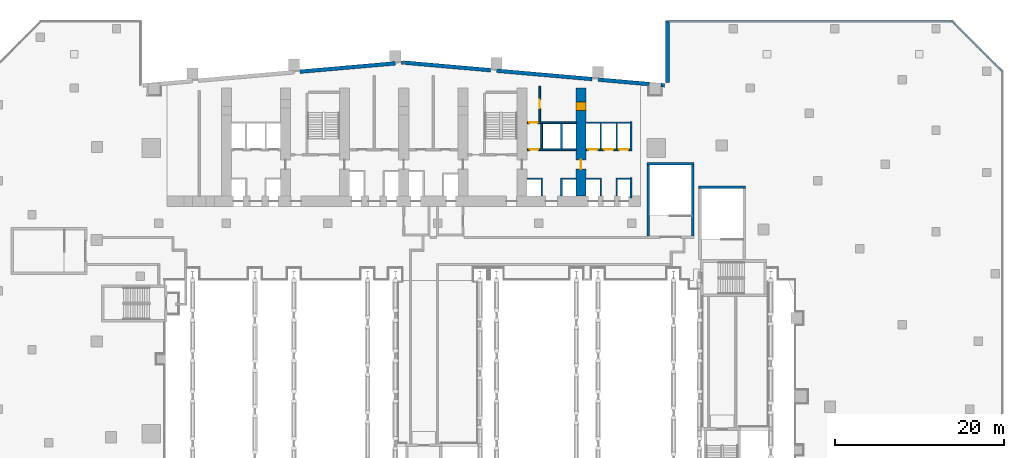
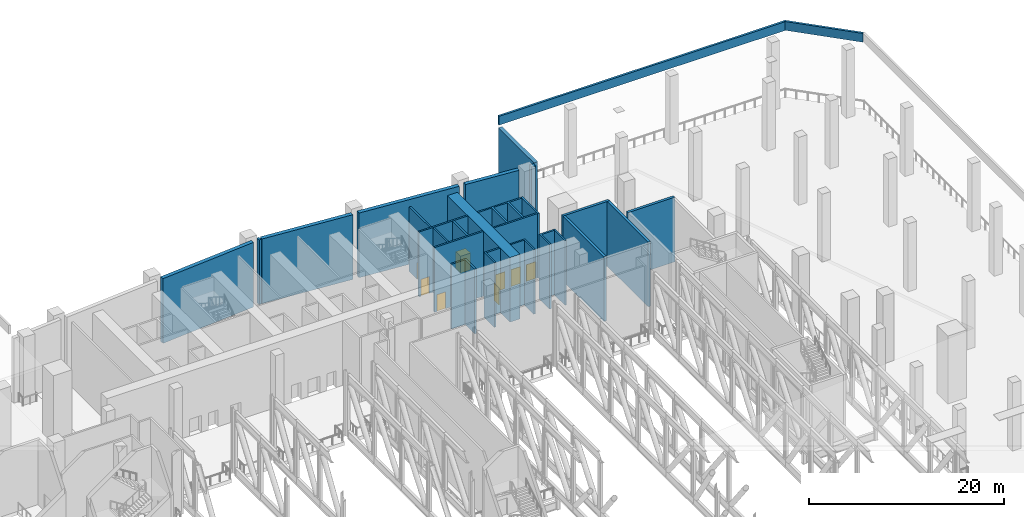
# One storey, part 14 of 33: 27 walls, 8 doors, 8 openings.
"""IFC4 building model written with IfcOpenShell, lengths in metres."""

from ifc_helpers import new_model, si_unit, direction, frame, frame_2d, origin, place, context, subcontext, project, spatial, polyline, rectangle, outline, extrude, material, layer, layer_set, type_object, element, fill, save


model = new_model("IFC4")

# Units and contexts
model_context = context("Model", 3, precision=1e-05, world=origin(), true_north=direction((0.0, 1.0)))
body_context = subcontext(model_context, "Body", "Model", "MODEL_VIEW")
ifc_project = project(units=[si_unit("LENGTHUNIT", "METRE"), si_unit("AREAUNIT", "SQUARE_METRE"), si_unit("VOLUMEUNIT", "CUBIC_METRE"), si_unit("PLANEANGLEUNIT", "RADIAN"), si_unit("MASSUNIT", "GRAM", prefix="KILO")], contexts=[model_context])

# Site, building, storey
site_placement = place(None, origin())
site = spatial("IfcSite", under=ifc_project, at=site_placement, CompositionType="ELEMENT")
building_placement = place(site_placement, origin())
building = spatial("IfcBuilding", under=site, at=building_placement, Name="Wharfspan Tower", CompositionType="ELEMENT")
storey_placement = place(building_placement, frame((0.0, 0.0, 33.0)))
storey = spatial("IfcBuildingStorey", under=building, at=storey_placement, Name="L05", CompositionType="ELEMENT", Elevation=33.0)

# Wall, opening, door
ifc_material_1 = material(Name="Calcium silicate masonry", Category="masonry")
ifc_layer_1 = layer(ifc_material_1, 0.199951)
ifc_layer_set_1 = layer_set([ifc_layer_1], Name="Calcium silicate masonry")
wall_type_1 = type_object("IfcWallType", Name="Core room wall 200", PredefinedType="PARTITIONING", material=ifc_layer_set_1)
wall_1_placement = place(storey_placement, frame((53.100098, 44.0, 0.0), z_axis=(0.0, 0.0, 1.0), x_axis=(0.0, 1.0, 0.0)))
wall_1 = element("IfcWall", 1, at=wall_1_placement, inside=storey, type_object=wall_type_1, Name="sw:L05:RP6.1", PredefinedType="PARTITIONING", context=body_context, shape_type="SweptSolid", body=[
    extrude(rectangle(XDim=4.227783, YDim=0.199951, at=frame_2d((2.11377, 0.0))), origin(), (0.0, 0.0, 1.0), 8.100098),
])
opening_1_placement = place(wall_1_placement, frame((1.614014, 0.0, 0.0)))
opening_1 = element("IfcOpeningElement", 2, at=opening_1_placement, cuts=wall_1, Name="Opening CD05.6P1", PredefinedType="OPENING", context=body_context, shape_type="SweptSolid", body=[
    extrude(rectangle(XDim=1.0, YDim=2.100098, at=frame_2d((0.5, 1.050049))), frame((0.0, 0.109863, 0.0), z_axis=(0.0, -1.0, 0.0), x_axis=(1.0, 0.0, 0.0)), (0.0, 0.0, 1.0), 0.219971),
])
ifc_material_2 = material(Name="Steel door leaf", Category="steel")
door_type_1 = type_object("IfcDoorType", Name="Core room door 1000x2100", OperationType="SINGLE_SWING_LEFT", PredefinedType="DOOR", material=ifc_material_2)
door_1_placement = place(opening_1_placement, origin())
door_1 = element("IfcDoor", 3, at=door_1_placement, inside=storey, type_object=door_type_1, Name="d:L05:6:rp1", OperationType="SINGLE_SWING_LEFT", OverallHeight=2.100098, OverallWidth=1.0, PredefinedType="DOOR", context=body_context, shape_type="SweptSolid", body=[
    extrude(rectangle(XDim=1.0, YDim=2.100098, at=frame_2d((0.5, 1.050049))), frame((0.0, 0.024902, 0.0), z_axis=(0.0, -1.0, 0.0), x_axis=(1.0, 0.0, 0.0)), (0.0, 0.0, 1.0), 0.050049),
])
fill(opening_1, door_1)

# Wall, openings, doors
ifc_material_3 = material(Name="Concrete C70/85", Category="concrete")
ifc_layer_2 = layer(ifc_material_3, 1.199951)
ifc_layer_set_2 = layer_set([ifc_layer_2], Name="Concrete C70/85")
wall_type_2 = type_object("IfcWallType", Name="Core wall fallback 1.2", PredefinedType="SHEAR", material=ifc_layer_set_2)
wall_2_placement = place(storey_placement, frame((58.0, 35.199951, 0.0), z_axis=(0.0, 0.0, 1.0), x_axis=(0.0, 1.0, 0.0)))
wall_2 = element("IfcWall", 4, at=wall_2_placement, inside=storey, type_object=wall_type_2, Name="cw:L05:X7", PredefinedType="SHEAR", context=body_context, shape_type="SweptSolid", body=[
    extrude(rectangle(XDim=12.800049, YDim=1.199951, at=frame_2d((6.399902, 0.0))), origin(), (0.0, 0.0, 1.0), 8.100098),
])
opening_2_placement = place(wall_2_placement, frame((10.133789, 0.0, 0.0)))
opening_2 = element("IfcOpeningElement", 5, at=opening_2_placement, cuts=wall_2, Name="Opening CD05.7X", PredefinedType="OPENING", context=body_context, shape_type="SweptSolid", body=[
    extrude(rectangle(XDim=1.0, YDim=2.100098, at=frame_2d((0.5, 1.050049))), frame((0.0, 0.609863, 0.0), z_axis=(0.0, -1.0, 0.0), x_axis=(1.0, 0.0, 0.0)), (0.0, 0.0, 1.0), 1.219971),
])
opening_3_placement = place(wall_2_placement, frame((3.199951, 0.0, 0.0)))
opening_3 = element("IfcOpeningElement", 6, at=opening_3_placement, cuts=wall_2, Name="Opening CC05.7", PredefinedType="OPENING", context=body_context, shape_type="SweptSolid", body=[
    extrude(rectangle(XDim=1.100098, YDim=2.100098, at=frame_2d((0.550049, 1.050049))), frame((0.0, 0.609863, 0.0), z_axis=(0.0, -1.0, 0.0), x_axis=(1.0, 0.0, 0.0)), (0.0, 0.0, 1.0), 1.219971),
])
door_type_2 = type_object("IfcDoorType", Name="Core corridor door 1100x2100", OperationType="SINGLE_SWING_LEFT", PredefinedType="DOOR", material=ifc_material_2)
door_2_placement = place(opening_3_placement, origin())
door_2 = element("IfcDoor", 7, at=door_2_placement, inside=storey, type_object=door_type_2, Name="xd:L05:7", OperationType="SINGLE_SWING_LEFT", OverallHeight=2.100098, OverallWidth=1.100098, PredefinedType="DOOR", context=body_context, shape_type="SweptSolid", body=[
    extrude(rectangle(XDim=1.100098, YDim=2.100098, at=frame_2d((0.550049, 1.050049))), frame((0.0, 0.024902, 0.0), z_axis=(0.0, -1.0, 0.0), x_axis=(1.0, 0.0, 0.0)), (0.0, 0.0, 1.0), 0.050049),
])
fill(opening_3, door_2)
door_3_placement = place(opening_2_placement, origin())
door_3 = element("IfcDoor", 8, at=door_3_placement, inside=storey, type_object=door_type_1, Name="d:L05:7:sx", OperationType="SINGLE_SWING_LEFT", OverallHeight=2.100098, OverallWidth=1.0, PredefinedType="DOOR", context=body_context, shape_type="SweptSolid", body=[
    extrude(rectangle(XDim=1.0, YDim=2.100098, at=frame_2d((0.5, 1.050049))), frame((0.0, 0.599609, 0.0), z_axis=(0.0, -1.0, 0.0), x_axis=(1.0, 0.0, 0.0)), (0.0, 0.0, 1.0), 1.199463),
])
fill(opening_2, door_3)

# Wall, opening, door
ifc_material_4 = material(Name="Concrete C30/37", Category="concrete")
ifc_layer_3 = layer(ifc_material_4, 0.199951)
ifc_layer_set_3 = layer_set([ifc_layer_3], Name="Concrete C30/37")
wall_type_3 = type_object("IfcWallType", Name="Lift shaft wall 200", PredefinedType="PARTITIONING", material=ifc_layer_set_3)
wall_3_placement = place(storey_placement, frame((51.600098, 40.699951, 0.0), z_axis=(0.0, 0.0, 1.0), x_axis=(1.0, 0.0, 0.0)))
wall_3 = element("IfcWall", 9, at=wall_3_placement, inside=storey, type_object=wall_type_3, Name="sw:L05:RF6", PredefinedType="PARTITIONING", context=body_context, shape_type="SweptSolid", body=[
    extrude(rectangle(XDim=5.799805, YDim=0.199951, at=frame_2d((2.899902, 0.0))), origin(), (0.0, 0.0, 1.0), 8.100098),
])
opening_4_placement = place(wall_3_placement, frame((0.31665, 0.0, 0.0)))
opening_4 = element("IfcOpeningElement", 10, at=opening_4_placement, cuts=wall_3, Name="Opening CD05.6R1", PredefinedType="OPENING", context=body_context, shape_type="SweptSolid", body=[
    extrude(rectangle(XDim=1.0, YDim=2.100098, at=frame_2d((0.5, 1.050049))), frame((0.0, 0.109863, 0.0), z_axis=(0.0, -1.0, 0.0), x_axis=(1.0, 0.0, 0.0)), (0.0, 0.0, 1.0), 0.219971),
])
door_4_placement = place(opening_4_placement, origin())
door_4 = element("IfcDoor", 11, at=door_4_placement, inside=storey, type_object=door_type_1, Name="d:L05:6:rd6.1", OperationType="SINGLE_SWING_RIGHT", OverallHeight=2.100098, OverallWidth=1.0, PredefinedType="DOOR", context=body_context, shape_type="SweptSolid", body=[
    extrude(rectangle(XDim=1.0, YDim=2.100098, at=frame_2d((0.5, 1.050049))), frame((0.0, 0.024902, 0.0), z_axis=(0.0, -1.0, 0.0), x_axis=(1.0, 0.0, 0.0)), (0.0, 0.0, 1.0), 0.050049),
])
fill(opening_4, door_4)

wall_4_placement = place(storey_placement, frame((51.600098, 43.899902, 0.0), z_axis=(0.0, 0.0, 1.0), x_axis=(1.0, 0.0, 0.0)))
wall_4 = element("IfcWall", 12, at=wall_4_placement, inside=storey, type_object=wall_type_3, Name="sw:L05:RR6", PredefinedType="PARTITIONING", context=body_context, shape_type="SweptSolid", body=[
    extrude(rectangle(XDim=5.799805, YDim=0.199951, at=frame_2d((2.899902, 0.0))), origin(), (0.0, 0.0, 1.0), 8.100098),
])
opening_5_placement = place(wall_4_placement, frame((0.25, 0.0, 0.0)))
opening_5 = element("IfcOpeningElement", 13, at=opening_5_placement, cuts=wall_4, Name="Opening CD05.6S1", PredefinedType="OPENING", context=body_context, shape_type="SweptSolid", body=[
    extrude(rectangle(XDim=1.0, YDim=2.100098, at=frame_2d((0.5, 1.050049))), frame((0.0, 0.109863, 0.0), z_axis=(0.0, -1.0, 0.0), x_axis=(1.0, 0.0, 0.0)), (0.0, 0.0, 1.0), 0.219971),
])
door_5_placement = place(opening_5_placement, origin())
door_5 = element("IfcDoor", 14, at=door_5_placement, inside=storey, type_object=door_type_1, Name="d:L05:6:rs6.1", OperationType="SINGLE_SWING_LEFT", OverallHeight=2.100098, OverallWidth=1.0, PredefinedType="DOOR", context=body_context, shape_type="SweptSolid", body=[
    extrude(rectangle(XDim=1.0, YDim=2.100098, at=frame_2d((0.5, 1.050049))), frame((0.0, 0.024902, 0.0), z_axis=(0.0, -1.0, 0.0), x_axis=(1.0, 0.0, 0.0)), (0.0, 0.0, 1.0), 0.050049),
])
fill(opening_5, door_5)

# Walls
wall_5_placement = place(storey_placement, origin())
element("IfcWall", 15, at=wall_5_placement, inside=storey, type_object=wall_type_3, Name="sw:L05:FM6.0", PredefinedType="PARTITIONING", context=body_context, shape_type="SweptSolid", body=[
    extrude(outline(polyline([(53.233398, 37.149902), (51.600098, 37.149902), (51.600098, 37.350098), (53.233398, 37.350098), (53.43335, 37.350098), (53.43335, 35.199951), (53.233398, 35.199951), (53.233398, 37.149902)])), origin(), (0.0, 0.0, 1.0), 8.100098),
])
wall_6_placement = place(storey_placement, origin())
element("IfcWall", 16, at=wall_6_placement, inside=storey, type_object=wall_type_3, Name="sw:L05:FM6.1", PredefinedType="PARTITIONING", context=body_context, shape_type="SweptSolid", body=[
    extrude(outline(polyline([(55.56665, 37.350098), (55.766602, 37.350098), (57.399902, 37.350098), (57.399902, 37.149902), (55.766602, 37.149902), (55.766602, 35.199951), (55.56665, 35.199951), (55.56665, 37.350098)])), origin(), (0.0, 0.0, 1.0), 8.100098),
])
wall_7_placement = place(storey_placement, origin())
element("IfcWall", 17, at=wall_7_placement, inside=storey, type_object=wall_type_3, Name="sw:L05:RM6.0", PredefinedType="PARTITIONING", context=body_context, shape_type="SweptSolid", body=[
    extrude(outline(polyline([(53.233398, 40.800049), (53.233398, 43.800049), (53.43335, 43.800049), (53.43335, 40.800049), (53.233398, 40.800049)])), origin(), (0.0, 0.0, 1.0), 8.100098),
])
wall_8_placement = place(storey_placement, origin())
element("IfcWall", 18, at=wall_8_placement, inside=storey, type_object=wall_type_3, Name="sw:L05:RM6.1", PredefinedType="PARTITIONING", context=body_context, shape_type="SweptSolid", body=[
    extrude(outline(polyline([(55.56665, 40.800049), (55.56665, 43.800049), (55.766602, 43.800049), (55.766602, 40.800049), (55.56665, 40.800049)])), origin(), (0.0, 0.0, 1.0), 8.100098),
])

# Wall, openings, doors
wall_9_placement = place(storey_placement, frame((58.600098, 40.699951, 0.0), z_axis=(0.0, 0.0, 1.0), x_axis=(1.0, 0.0, 0.0)))
wall_9 = element("IfcWall", 19, at=wall_9_placement, inside=storey, type_object=wall_type_3, Name="sw:L05:RF7", PredefinedType="PARTITIONING", context=body_context, shape_type="SweptSolid", body=[
    extrude(rectangle(XDim=5.199951, YDim=0.199951, at=frame_2d((2.600098, 0.0))), origin(), (0.0, 0.0, 1.0), 8.100098),
])
opening_6_placement = place(wall_9_placement, frame((0.266602, 0.0, 0.0)))
opening_6 = element("IfcOpeningElement", 20, at=opening_6_placement, cuts=wall_9, Name="Opening LD.LA8.L05", PredefinedType="OPENING", context=body_context, shape_type="SweptSolid", body=[
    extrude(rectangle(XDim=1.100098, YDim=2.100098, at=frame_2d((0.550049, 1.050049))), frame((0.0, 0.109863, 0.0), z_axis=(0.0, -1.0, 0.0), x_axis=(1.0, 0.0, 0.0)), (0.0, 0.0, 1.0), 0.219971),
])
opening_7_placement = place(wall_9_placement, frame((2.116699, 0.0, 0.0)))
opening_7 = element("IfcOpeningElement", 21, at=opening_7_placement, cuts=wall_9, Name="Opening LD.LA9.L05", PredefinedType="OPENING", context=body_context, shape_type="SweptSolid", body=[
    extrude(rectangle(XDim=1.100098, YDim=2.100098, at=frame_2d((0.550049, 1.050049))), frame((0.0, 0.109863, 0.0), z_axis=(0.0, -1.0, 0.0), x_axis=(1.0, 0.0, 0.0)), (0.0, 0.0, 1.0), 0.219971),
])
opening_8_placement = place(wall_9_placement, frame((3.899902, 0.0, 0.0)))
opening_8 = element("IfcOpeningElement", 22, at=opening_8_placement, cuts=wall_9, Name="Opening LD.LA10.L05", PredefinedType="OPENING", context=body_context, shape_type="SweptSolid", body=[
    extrude(rectangle(XDim=1.100098, YDim=2.100098, at=frame_2d((0.550049, 1.050049))), frame((0.0, 0.109863, 0.0), z_axis=(0.0, -1.0, 0.0), x_axis=(1.0, 0.0, 0.0)), (0.0, 0.0, 1.0), 0.219971),
])
ifc_material_5 = material(Name="Stainless steel", Category="steel")
door_type_3 = type_object("IfcDoorType", Name="Lift landing door 1100x2100", OperationType="DOUBLE_DOOR_SLIDING", PredefinedType="DOOR", material=ifc_material_5)
door_6_placement = place(opening_6_placement, origin())
door_6 = element("IfcDoor", 23, at=door_6_placement, inside=storey, type_object=door_type_3, Name="Landing door LA8 L05", OperationType="DOUBLE_DOOR_SLIDING", OverallHeight=2.100098, OverallWidth=1.100098, PredefinedType="DOOR", context=body_context, shape_type="SweptSolid", body=[
    extrude(rectangle(XDim=1.100098, YDim=2.100098, at=frame_2d((0.550049, 1.050049))), frame((0.0, 0.024902, 0.0), z_axis=(0.0, -1.0, 0.0), x_axis=(1.0, 0.0, 0.0)), (0.0, 0.0, 1.0), 0.050049),
])
fill(opening_6, door_6)
door_7_placement = place(opening_7_placement, origin())
door_7 = element("IfcDoor", 24, at=door_7_placement, inside=storey, type_object=door_type_3, Name="Landing door LA9 L05", OperationType="DOUBLE_DOOR_SLIDING", OverallHeight=2.100098, OverallWidth=1.100098, PredefinedType="DOOR", context=body_context, shape_type="SweptSolid", body=[
    extrude(rectangle(XDim=1.100098, YDim=2.100098, at=frame_2d((0.550049, 1.050049))), frame((0.0, 0.024902, 0.0), z_axis=(0.0, -1.0, 0.0), x_axis=(1.0, 0.0, 0.0)), (0.0, 0.0, 1.0), 0.050049),
])
fill(opening_7, door_7)
door_8_placement = place(opening_8_placement, origin())
door_8 = element("IfcDoor", 25, at=door_8_placement, inside=storey, type_object=door_type_3, Name="Landing door LA10 L05", OperationType="DOUBLE_DOOR_SLIDING", OverallHeight=2.100098, OverallWidth=1.100098, PredefinedType="DOOR", context=body_context, shape_type="SweptSolid", body=[
    extrude(rectangle(XDim=1.100098, YDim=2.100098, at=frame_2d((0.550049, 1.050049))), frame((0.0, 0.024902, 0.0), z_axis=(0.0, -1.0, 0.0), x_axis=(1.0, 0.0, 0.0)), (0.0, 0.0, 1.0), 0.050049),
])
fill(opening_8, door_8)

# Walls
wall_10_placement = place(storey_placement, origin())
element("IfcWall", 26, at=wall_10_placement, inside=storey, type_object=wall_type_3, Name="sw:L05:FM7.0", PredefinedType="PARTITIONING", context=body_context, shape_type="SweptSolid", body=[
    extrude(outline(polyline([(60.233398, 37.149902), (58.600098, 37.149902), (58.600098, 37.350098), (60.233398, 37.350098), (60.43335, 37.350098), (60.43335, 35.199951), (60.233398, 35.199951), (60.233398, 37.149902)])), origin(), (0.0, 0.0, 1.0), 8.100098),
])
wall_11_placement = place(storey_placement, origin())
element("IfcWall", 27, at=wall_11_placement, inside=storey, type_object=wall_type_3, Name="sw:L05:FM7.1", PredefinedType="PARTITIONING", context=body_context, shape_type="SweptSolid", body=[
    extrude(outline(polyline([(62.100098, 37.350098), (62.300049, 37.350098), (63.800049, 37.350098), (63.800049, 37.149902), (62.300049, 37.149902), (62.300049, 35.199951), (62.100098, 35.199951), (62.100098, 37.350098)])), origin(), (0.0, 0.0, 1.0), 8.100098),
])
wall_12_placement = place(storey_placement, origin())
element("IfcWall", 28, at=wall_12_placement, inside=storey, type_object=wall_type_3, Name="sw:L05:RM7.0", PredefinedType="PARTITIONING", context=body_context, shape_type="SweptSolid", body=[
    extrude(outline(polyline([(60.43335, 40.800049), (60.233398, 40.800049), (60.233398, 43.800049), (58.600098, 43.800049), (58.600098, 44.0), (63.800049, 44.0), (63.800049, 43.800049), (62.300049, 43.800049), (62.300049, 40.800049), (62.100098, 40.800049), (62.100098, 43.800049), (60.43335, 43.800049), (60.43335, 40.800049)])), origin(), (0.0, 0.0, 1.0), 8.100098),
])
wall_13_placement = place(storey_placement, frame((63.899902, 35.0, 0.0), z_axis=(0.0, 0.0, 1.0), x_axis=(0.0, 1.0, 0.0)))
element("IfcWall", 29, at=wall_13_placement, inside=storey, type_object=wall_type_3, Name="sw:L05:ECF7", PredefinedType="PARTITIONING", context=body_context, shape_type="SweptSolid", body=[
    extrude(rectangle(XDim=2.350098, YDim=0.199951, at=frame_2d((1.175049, 0.0))), origin(), (0.0, 0.0, 1.0), 8.100098),
])
wall_14_placement = place(storey_placement, frame((63.899902, 40.600098, 0.0), z_axis=(0.0, 0.0, 1.0), x_axis=(0.0, 1.0, 0.0)))
element("IfcWall", 30, at=wall_14_placement, inside=storey, type_object=wall_type_3, Name="sw:L05:ECR7", PredefinedType="PARTITIONING", context=body_context, shape_type="SweptSolid", body=[
    extrude(rectangle(XDim=3.399902, YDim=0.199951, at=frame_2d((1.699951, 0.0))), origin(), (0.0, 0.0, 1.0), 8.100098),
])
ifc_material_6 = material(Name="Concrete C40/50", Category="concrete")
ifc_layer_4 = layer(ifc_material_6, 0.25)
ifc_layer_set_4 = layer_set([ifc_layer_4], Name="Concrete C40/50")
wall_type_4 = type_object("IfcWallType", Name="PARAPET CONCRETE 250", PredefinedType="PARAPET", material=ifc_layer_set_4)
wall_15_placement = place(storey_placement, frame((101.823242, 55.875, 8.5), z_axis=(0.0, 0.0, 1.0), x_axis=(-1.0, 0.0, 0.0)))
element("IfcWall", 31, at=wall_15_placement, inside=storey, type_object=wall_type_4, Name="Ledge parapet", PredefinedType="PARAPET", context=body_context, shape_type="SweptSolid", body=[
    extrude(rectangle(XDim=33.823242, YDim=0.25, at=frame_2d((16.911621, 0.0))), origin(), (0.0, 0.0, 1.0), 1.100098),
])
wall_16_placement = place(storey_placement, frame((107.786621, 50.036621, 8.5), z_axis=(0.0, 0.0, 1.0), x_axis=(-0.707107, 0.707107, 0.0)))
element("IfcWall", 32, at=wall_16_placement, inside=storey, type_object=wall_type_4, Name="Ledge parapet", PredefinedType="PARAPET", context=body_context, shape_type="SweptSolid", body=[
    extrude(rectangle(XDim=8.381592, YDim=0.25, at=frame_2d((4.190918, 0.0))), origin(), (0.0, 0.0, 1.0), 1.100098),
])
ifc_layer_5 = layer(ifc_material_6, 0.300049)
ifc_layer_set_5 = layer_set([ifc_layer_5], Name="Concrete C40/50")
wall_type_5 = type_object("IfcWallType", Name="Podium stair core wall 300", PredefinedType="SHEAR", material=ifc_layer_set_5)
wall_17_placement = place(storey_placement, frame((65.800049, 39.050049, 0.0), z_axis=(0.0, 0.0, 1.0), x_axis=(1.0, 0.0, 0.0)))
element("IfcWall", 33, at=wall_17_placement, inside=storey, type_object=wall_type_5, Name="iw:L05:PS4N", PredefinedType="SHEAR", context=body_context, shape_type="SweptSolid", body=[
    extrude(rectangle(XDim=5.550049, YDim=0.300049, at=frame_2d((2.774902, 0.0))), origin(), (0.0, 0.0, 1.0), 8.100098),
])
for number, where, z_axis, x_axis, name in (
    (34, (65.949951, 30.5, 0.0), (0.0, 0.0, 1.0), (0.0, 1.0, 0.0), "iw:L05:PS4W"),
    (35, (71.199951, 30.5, 0.0), (0.0, 0.0, 1.0), (0.0, 1.0, 0.0), "iw:L05:PS4E"),
):
    element("IfcWall", number, at=place(storey_placement, frame(where, z_axis=z_axis, x_axis=x_axis)), inside=storey, type_object=wall_type_5, Name=name, PredefinedType="SHEAR", context=body_context, shape_type="SweptSolid", body=[
        extrude(rectangle(XDim=8.399902, YDim=0.300049, at=frame_2d((4.199951, 0.0))), origin(), (0.0, 0.0, 1.0), 8.100098),
    ])
wall_18_placement = place(storey_placement, frame((71.91748, 36.25, 0.0), z_axis=(0.0, 0.0, 1.0), x_axis=(1.0, 0.0, 0.0)))
element("IfcWall", 36, at=wall_18_placement, inside=storey, type_object=wall_type_5, Name="iw:L05:PS5N", PredefinedType="SHEAR", context=body_context, shape_type="SweptSolid", body=[
    extrude(rectangle(XDim=5.550049, YDim=0.300049, at=frame_2d((2.774902, 0.0))), origin(), (0.0, 0.0, 1.0), 8.100098),
])
ifc_layer_6 = layer(ifc_material_6, 0.449951)
ifc_layer_set_6 = layer_set([ifc_layer_6], Name="Concrete C40/50")
wall_type_6 = type_object("IfcWallType", Name="WALL BOARD-MARKED CONCRETE 450", PredefinedType="SOLIDWALL", material=ifc_layer_set_6)
wall_19_placement = place(storey_placement, frame((68.225098, 55.899902, 0.0), z_axis=(0.0, 0.0, 1.0), x_axis=(0.0, -1.0, 0.0)))
element("IfcWall", 37, at=wall_19_placement, inside=storey, type_object=wall_type_6, Name="Podium wall PF6", PredefinedType="SOLIDWALL", context=body_context, shape_type="SweptSolid", body=[
    extrude(rectangle(XDim=7.274658, YDim=0.449951, at=frame_2d((3.637207, 0.0))), origin(), (0.0, 0.0, 1.0), 8.100098),
])
wall_20_placement = place(storey_placement, frame((66.05835, 48.468994, 0.0), z_axis=(0.0, 0.0, 1.0), x_axis=(-0.996195, 0.087158, 0.0)))
element("IfcWall", 38, at=wall_20_placement, inside=storey, type_object=wall_type_6, Name="Podium wall PF7", PredefinedType="SOLIDWALL", context=body_context, shape_type="SweptSolid", body=[
    extrude(rectangle(XDim=6.081299, YDim=0.449951, at=frame_2d((3.040527, 0.0))), origin(), (0.0, 0.0, 1.0), 8.100098),
])
wall_21_placement = place(storey_placement, frame((59.300537, 49.060303, 0.0), z_axis=(0.0, 0.0, 1.0), x_axis=(-0.996195, 0.087145, 0.0)))
element("IfcWall", 39, at=wall_21_placement, inside=storey, type_object=wall_type_6, Name="Podium wall PF7", PredefinedType="SOLIDWALL", context=body_context, shape_type="SweptSolid", body=[
    extrude(rectangle(XDim=11.343506, YDim=0.449951, at=frame_2d((5.671875, 0.0))), origin(), (0.0, 0.0, 1.0), 8.100098),
])
wall_22_placement = place(storey_placement, frame((47.300537, 50.110107, 0.0), z_axis=(0.0, 0.0, 1.0), x_axis=(-0.996195, 0.087143, 0.0)))
element("IfcWall", 40, at=wall_22_placement, inside=storey, type_object=wall_type_6, Name="Podium wall PF7", PredefinedType="SOLIDWALL", context=body_context, shape_type="SweptSolid", body=[
    extrude(rectangle(XDim=10.259521, YDim=0.449951, at=frame_2d((5.129883, 0.0))), origin(), (0.0, 0.0, 1.0), 8.100098),
])
wall_23_placement = place(storey_placement, frame((67.880859, 48.30957, 0.0), z_axis=(0.0, 0.0, 1.0), x_axis=(-0.99621, 0.086944, 0.0)))
element("IfcWall", 41, at=wall_23_placement, inside=storey, type_object=wall_type_6, Name="Podium wall PF7", PredefinedType="SOLIDWALL", context=body_context, shape_type="SweptSolid", body=[
    extrude(rectangle(XDim=0.435303, YDim=0.449951, at=frame_2d((0.217773, 0.0))), origin(), (0.0, 0.0, 1.0), 8.100098),
])
wall_24_placement = place(storey_placement, frame((35.999756, 50.923584, 0.0), z_axis=(0.0, 0.0, 1.0), x_axis=(-0.996195, -0.087145, 0.0)))
element("IfcWall", 42, at=wall_24_placement, inside=storey, type_object=wall_type_6, Name="Podium wall PF8", PredefinedType="SOLIDWALL", context=body_context, shape_type="SweptSolid", body=[
    extrude(rectangle(XDim=11.343506, YDim=0.449951, at=frame_2d((5.671875, 0.0))), origin(), (0.0, 0.0, 1.0), 8.100098),
])
wall_25_placement = place(storey_placement, frame((36.969727, 51.008545, 0.0), z_axis=(0.0, 0.0, 1.0), x_axis=(-0.996186, -0.08729, 0.0)))
element("IfcWall", 43, at=wall_25_placement, inside=storey, type_object=wall_type_6, Name="Podium wall PF8", PredefinedType="SOLIDWALL", context=body_context, shape_type="SweptSolid", body=[
    extrude(rectangle(XDim=0.27124, YDim=0.449951, at=frame_2d((0.135742, 0.0))), origin(), (0.0, 0.0, 1.0), 8.100098),
])

save(model, "model.ifc")
